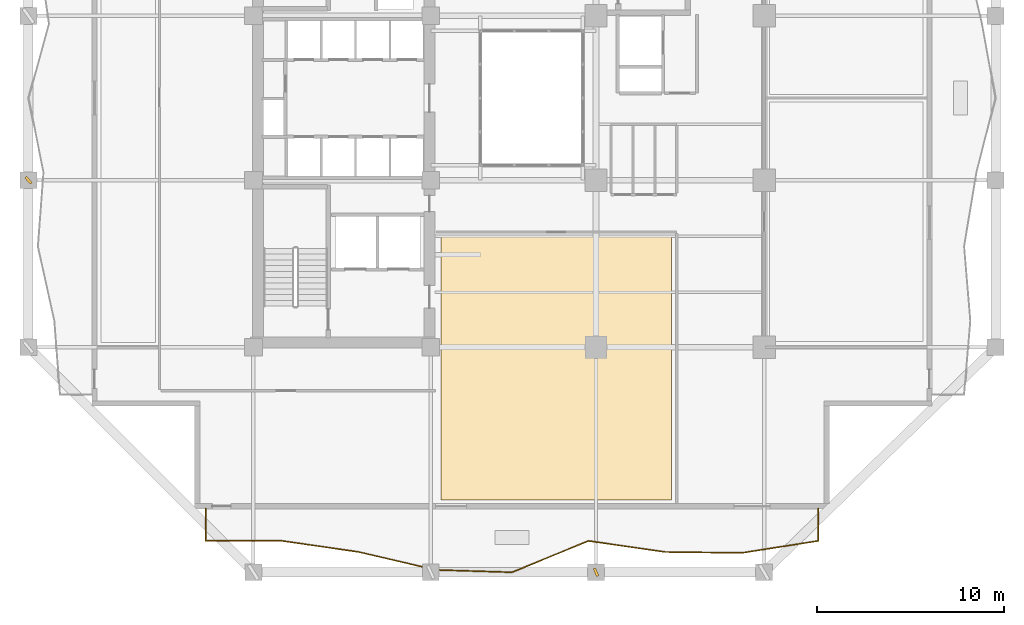
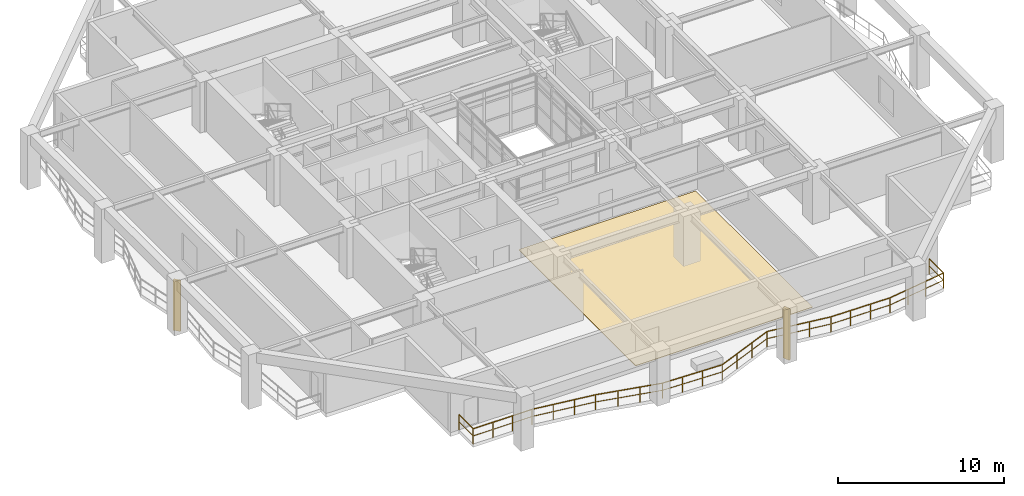
# One storey, part 11 of 17: 2 shading devices, 1 covering, 1 railing.
"""IFC4 building model written with IfcOpenShell, lengths in metres."""

from ifc_helpers import new_model, si_unit, direction, frame, origin, origin_2d, place, context, subcontext, project, spatial, polyline, rectangle, outline, extrude, material, layer, layer_set, type_object, element, save


model = new_model("IFC4")

# Units and contexts
model_context = context("Model", 3, precision=1e-05, world=origin(), true_north=direction((0.0, 1.0)))
body_context = subcontext(model_context, "Body", "Model", "MODEL_VIEW")
ifc_project = project(units=[si_unit("LENGTHUNIT", "METRE"), si_unit("AREAUNIT", "SQUARE_METRE"), si_unit("VOLUMEUNIT", "CUBIC_METRE"), si_unit("PLANEANGLEUNIT", "RADIAN"), si_unit("MASSUNIT", "GRAM", prefix="KILO")], contexts=[model_context])

# Site, building, storey
site_placement = place(None, origin())
site = spatial("IfcSite", under=ifc_project, at=site_placement, CompositionType="ELEMENT")
building_placement = place(site_placement, origin())
building = spatial("IfcBuilding", under=site, at=building_placement, Name="Kundavana Baori Tower", CompositionType="ELEMENT")
storey_placement = place(building_placement, frame((0.0, 0.0, 30.0)))
storey = spatial("IfcBuildingStorey", under=building, at=storey_placement, Name="L06", CompositionType="ELEMENT", Elevation=30.0)

# Covering
ifc_material_1 = material(Name="Honed Kota Stone and Terrazzo Flooring", Category="masonry")
ifc_layer = layer(ifc_material_1, 0.0400390625, Name="COV-FLR-TERR-40")
ifc_layer_set = layer_set([ifc_layer], Name="Honed Kota Stone and Terrazzo Flooring")
covering_type = type_object("IfcCoveringType", Name="COV-FLR-TERR-40", PredefinedType="FLOORING", material=ifc_layer_set)
covering_placement = place(storey_placement, origin())
element("IfcCovering", 1, at=covering_placement, inside=storey, type_object=covering_type, Name="L06 Room Finished Stone Flooring 2", PredefinedType="FLOORING", context=body_context, shape_type="SweptSolid", body=[
    extrude(outline(polyline([(25.5, 7.080078125), (37.840087890625, 7.080078125), (37.840087890625, 21.199951171875), (25.5, 21.199951171875), (25.5, 7.080078125)])), origin(), (0.0, 0.0, 1.0), 0.0400390625),
])

# Railing
ifc_material_2 = material(Name="Architectural Patinated Bronze Metalwork")
railing_type = type_object("IfcRailingType", Name="RL-BAL-1150", PredefinedType="BALUSTRADE", material=ifc_material_2)
railing_placement = place(storey_placement, frame((45.699951171875, 6.60009765625, 0.0)))
element("IfcRailing", 2, at=railing_placement, inside=storey, type_object=railing_type, Name="L06 Loggia Balcony Balustrade S", PredefinedType="BALUSTRADE", context=body_context, shape_type="SweptSolid", body=[
    extrude(rectangle(XDim=0.048095703125, YDim=0.048095703125, at=origin_2d()), frame((0.0, 0.0, 1.1259765625), z_axis=(0.0, -1.0, 0.0), x_axis=(1.0, 0.0, 0.0)), (0.0, 0.0, 1.0), 1.72021484375),
    extrude(rectangle(XDim=0.03125, YDim=0.03125, at=origin_2d()), frame((0.0, 0.0, 0.597900390625), z_axis=(0.0, -1.0, 0.0), x_axis=(1.0, 0.0, 0.0)), (0.0, 0.0, 1.0), 1.72021484375),
    extrude(rectangle(XDim=0.048095703125, YDim=0.048095703125, at=origin_2d()), frame((0.0, -1.72021484375, 1.1259765625), z_axis=(-0.987930296603, -0.154899093131, 0.0), x_axis=(0.154899093131, -0.987930296603, 0.0)), (0.0, 0.0, 1.0), 4.14990234375),
    extrude(rectangle(XDim=0.03125, YDim=0.03125, at=origin_2d()), frame((0.0, -1.72021484375, 0.597900390625), z_axis=(-0.987930296603, -0.154899093131, 0.0), x_axis=(0.154899093131, -0.987930296603, 0.0)), (0.0, 0.0, 1.0), 4.14990234375),
    extrude(rectangle(XDim=0.048095703125, YDim=0.048095703125, at=origin_2d()), frame((-4.099853515625, -2.363037109375, 1.1259765625), z_axis=(-0.999929095221, 0.011908170718, 0.0), x_axis=(-0.011908170718, -0.999929095221, 0.0)), (0.0, 0.0, 1.0), 4.100341796875),
    extrude(rectangle(XDim=0.03125, YDim=0.03125, at=origin_2d()), frame((-4.099853515625, -2.363037109375, 0.597900390625), z_axis=(-0.999929095221, 0.011908170718, 0.0), x_axis=(-0.011908170718, -0.999929095221, 0.0)), (0.0, 0.0, 1.0), 4.100341796875),
    extrude(rectangle(XDim=0.048095703125, YDim=0.048095703125, at=origin_2d()), frame((-8.199951171875, -2.314208984375, 1.1259765625), z_axis=(-0.989668235083, 0.143376373464, 0.0), x_axis=(-0.143376373464, -0.989668235083, 0.0)), (0.0, 0.0, 1.0), 4.142822265625),
    extrude(rectangle(XDim=0.03125, YDim=0.03125, at=origin_2d()), frame((-8.199951171875, -2.314208984375, 0.597900390625), z_axis=(-0.989668235083, 0.143376373464, 0.0), x_axis=(-0.143376373464, -0.989668235083, 0.0)), (0.0, 0.0, 1.0), 4.142822265625),
    extrude(rectangle(XDim=0.048095703125, YDim=0.048095703125, at=origin_2d()), frame((-12.300048828125, -1.72021484375, 1.1259765625), z_axis=(-0.92533176194, -0.379158450182, 0.0), x_axis=(0.379158450182, -0.92533176194, 0.0)), (0.0, 0.0, 1.0), 4.4306640625),
    extrude(rectangle(XDim=0.03125, YDim=0.03125, at=origin_2d()), frame((-12.300048828125, -1.72021484375, 0.597900390625), z_axis=(-0.92533176194, -0.379158450182, 0.0), x_axis=(0.379158450182, -0.92533176194, 0.0)), (0.0, 0.0, 1.0), 4.4306640625),
    extrude(rectangle(XDim=0.048095703125, YDim=0.048095703125, at=origin_2d()), frame((-16.39990234375, -3.400146484375, 1.1259765625), z_axis=(-0.999513584597, 0.031186442678, 0.0), x_axis=(-0.031186442678, -0.999513584597, 0.0)), (0.0, 0.0, 1.0), 4.10205078125),
    extrude(rectangle(XDim=0.03125, YDim=0.03125, at=origin_2d()), frame((-16.39990234375, -3.400146484375, 0.597900390625), z_axis=(-0.999513584597, 0.031186442678, 0.0), x_axis=(-0.031186442678, -0.999513584597, 0.0)), (0.0, 0.0, 1.0), 4.10205078125),
    extrude(rectangle(XDim=0.048095703125, YDim=0.048095703125, at=origin_2d()), frame((-20.5, -3.272216796875, 1.1259765625), z_axis=(-0.973768875809, 0.227539395503, 0.0), x_axis=(-0.227539395503, -0.973768875809, 0.0)), (0.0, 0.0, 1.0), 4.210205078125),
    extrude(rectangle(XDim=0.03125, YDim=0.03125, at=origin_2d()), frame((-20.5, -3.272216796875, 0.597900390625), z_axis=(-0.973768875809, 0.227539395503, 0.0), x_axis=(-0.227539395503, -0.973768875809, 0.0)), (0.0, 0.0, 1.0), 4.210205078125),
    extrude(rectangle(XDim=0.048095703125, YDim=0.048095703125, at=origin_2d()), frame((-24.599853515625, -2.314208984375, 1.1259765625), z_axis=(-0.989668235083, 0.143376373464, 0.0), x_axis=(-0.143376373464, -0.989668235083, 0.0)), (0.0, 0.0, 1.0), 4.142822265625),
    extrude(rectangle(XDim=0.03125, YDim=0.03125, at=origin_2d()), frame((-24.599853515625, -2.314208984375, 0.597900390625), z_axis=(-0.989668235083, 0.143376373464, 0.0), x_axis=(-0.143376373464, -0.989668235083, 0.0)), (0.0, 0.0, 1.0), 4.142822265625),
    extrude(rectangle(XDim=0.048095703125, YDim=0.048095703125, at=origin_2d()), frame((-28.699951171875, -1.72021484375, 1.1259765625), z_axis=(-1.0, 0.0, 0.0), x_axis=(0.0, -1.0, 0.0)), (0.0, 0.0, 1.0), 4.10009765625),
    extrude(rectangle(XDim=0.03125, YDim=0.03125, at=origin_2d()), frame((-28.699951171875, -1.72021484375, 0.597900390625), z_axis=(-1.0, 0.0, 0.0), x_axis=(0.0, -1.0, 0.0)), (0.0, 0.0, 1.0), 4.10009765625),
    extrude(rectangle(XDim=0.048095703125, YDim=0.048095703125, at=origin_2d()), frame((-32.800048828125, -1.72021484375, 1.1259765625), z_axis=(0.0, 1.0, 0.0), x_axis=(-1.0, 0.0, 0.0)), (0.0, 0.0, 1.0), 1.72021484375),
    extrude(rectangle(XDim=0.03125, YDim=0.03125, at=origin_2d()), frame((-32.800048828125, -1.72021484375, 0.597900390625), z_axis=(0.0, 1.0, 0.0), x_axis=(-1.0, 0.0, 0.0)), (0.0, 0.0, 1.0), 1.72021484375),
    extrude(rectangle(XDim=0.0419921875, YDim=0.0419921875, at=origin_2d()), origin(), (0.0, 0.0, 1.0), 1.101806640625),
    extrude(rectangle(XDim=0.0419921875, YDim=0.0419921875, at=origin_2d()), frame((0.0, -1.72021484375, 0.0)), (0.0, 0.0, 1.0), 1.101806640625),
    extrude(rectangle(XDim=0.0419921875, YDim=0.0419921875, at=origin_2d()), frame((-1.36669921875, -1.9345703125, 0.0)), (0.0, 0.0, 1.0), 1.101806640625),
    extrude(rectangle(XDim=0.0419921875, YDim=0.0419921875, at=origin_2d()), frame((-2.733154296875, -2.148681640625, 0.0)), (0.0, 0.0, 1.0), 1.101806640625),
    extrude(rectangle(XDim=0.0419921875, YDim=0.0419921875, at=origin_2d()), frame((-4.099853515625, -2.363037109375, 0.0)), (0.0, 0.0, 1.0), 1.101806640625),
    extrude(rectangle(XDim=0.0419921875, YDim=0.0419921875, at=origin_2d()), frame((-5.466552734375, -2.3466796875, 0.0)), (0.0, 0.0, 1.0), 1.101806640625),
    extrude(rectangle(XDim=0.0419921875, YDim=0.0419921875, at=origin_2d()), frame((-6.833251953125, -2.33056640625, 0.0)), (0.0, 0.0, 1.0), 1.101806640625),
    extrude(rectangle(XDim=0.0419921875, YDim=0.0419921875, at=origin_2d()), frame((-8.199951171875, -2.314208984375, 0.0)), (0.0, 0.0, 1.0), 1.101806640625),
    extrude(rectangle(XDim=0.0419921875, YDim=0.0419921875, at=origin_2d()), frame((-9.566650390625, -2.1162109375, 0.0)), (0.0, 0.0, 1.0), 1.101806640625),
    extrude(rectangle(XDim=0.0419921875, YDim=0.0419921875, at=origin_2d()), frame((-10.933349609375, -1.918212890625, 0.0)), (0.0, 0.0, 1.0), 1.101806640625),
    extrude(rectangle(XDim=0.0419921875, YDim=0.0419921875, at=origin_2d()), frame((-12.300048828125, -1.72021484375, 0.0)), (0.0, 0.0, 1.0), 1.101806640625),
    extrude(rectangle(XDim=0.0419921875, YDim=0.0419921875, at=origin_2d()), frame((-13.666748046875, -2.2802734375, 0.0)), (0.0, 0.0, 1.0), 1.101806640625),
    extrude(rectangle(XDim=0.0419921875, YDim=0.0419921875, at=origin_2d()), frame((-15.033203125, -2.840087890625, 0.0)), (0.0, 0.0, 1.0), 1.101806640625),
    extrude(rectangle(XDim=0.0419921875, YDim=0.0419921875, at=origin_2d()), frame((-16.39990234375, -3.400146484375, 0.0)), (0.0, 0.0, 1.0), 1.101806640625),
    extrude(rectangle(XDim=0.0419921875, YDim=0.0419921875, at=origin_2d()), frame((-17.7666015625, -3.357421875, 0.0)), (0.0, 0.0, 1.0), 1.101806640625),
    extrude(rectangle(XDim=0.0419921875, YDim=0.0419921875, at=origin_2d()), frame((-19.13330078125, -3.31494140625, 0.0)), (0.0, 0.0, 1.0), 1.101806640625),
    extrude(rectangle(XDim=0.0419921875, YDim=0.0419921875, at=origin_2d()), frame((-20.5, -3.272216796875, 0.0)), (0.0, 0.0, 1.0), 1.101806640625),
    extrude(rectangle(XDim=0.0419921875, YDim=0.0419921875, at=origin_2d()), frame((-21.86669921875, -2.952880859375, 0.0)), (0.0, 0.0, 1.0), 1.101806640625),
    extrude(rectangle(XDim=0.0419921875, YDim=0.0419921875, at=origin_2d()), frame((-23.233154296875, -2.633544921875, 0.0)), (0.0, 0.0, 1.0), 1.101806640625),
    extrude(rectangle(XDim=0.0419921875, YDim=0.0419921875, at=origin_2d()), frame((-24.599853515625, -2.314208984375, 0.0)), (0.0, 0.0, 1.0), 1.101806640625),
    extrude(rectangle(XDim=0.0419921875, YDim=0.0419921875, at=origin_2d()), frame((-25.966552734375, -2.1162109375, 0.0)), (0.0, 0.0, 1.0), 1.101806640625),
    extrude(rectangle(XDim=0.0419921875, YDim=0.0419921875, at=origin_2d()), frame((-27.333251953125, -1.918212890625, 0.0)), (0.0, 0.0, 1.0), 1.101806640625),
    extrude(rectangle(XDim=0.0419921875, YDim=0.0419921875, at=origin_2d()), frame((-28.699951171875, -1.72021484375, 0.0)), (0.0, 0.0, 1.0), 1.101806640625),
    extrude(rectangle(XDim=0.0419921875, YDim=0.0419921875, at=origin_2d()), frame((-30.066650390625, -1.72021484375, 0.0)), (0.0, 0.0, 1.0), 1.101806640625),
    extrude(rectangle(XDim=0.0419921875, YDim=0.0419921875, at=origin_2d()), frame((-31.433349609375, -1.72021484375, 0.0)), (0.0, 0.0, 1.0), 1.101806640625),
    extrude(rectangle(XDim=0.0419921875, YDim=0.0419921875, at=origin_2d()), frame((-32.800048828125, -1.72021484375, 0.0)), (0.0, 0.0, 1.0), 1.101806640625),
    extrude(rectangle(XDim=0.0419921875, YDim=0.0419921875, at=origin_2d()), frame((-32.800048828125, 0.0, 0.0)), (0.0, 0.0, 1.0), 1.101806640625),
])

# Shading devices
ifc_material_3 = material(Name="Architectural Patinated Bronze Metalwork")
shading_device_type = type_object("IfcShadingDeviceType", Name="SHD-LOUV-450", PredefinedType="SHUTTER", material=ifc_material_3)
for number, where, z_axis, x_axis, name in (
    (3, (33.800048828125, 3.199951171875, 0.0), (0.0, 0.0, 1.0), (0.92226845142, 0.386550001314, 0.0), "L06 Sweeping Dholpur Sandstone Facade Fin 3"),
    (4, (3.39990234375, 24.199951171875, 0.0), (0.0, 0.0, 1.0), (0.746638182285, 0.665230354654, 0.0), "L06 Sweeping Dholpur Sandstone Facade Fin 6"),
):
    element("IfcShadingDevice", number, at=place(storey_placement, frame(where, z_axis=z_axis, x_axis=x_axis)), inside=storey, type_object=shading_device_type, Name=name, PredefinedType="SHUTTER", context=body_context, shape_type="SweptSolid", body=[
        extrude(rectangle(XDim=0.139892578125, YDim=0.449951171875, at=origin_2d()), origin(), (0.0, 0.0, 1.0), 3.719970703125),
    ])

save(model, "model.ifc")
